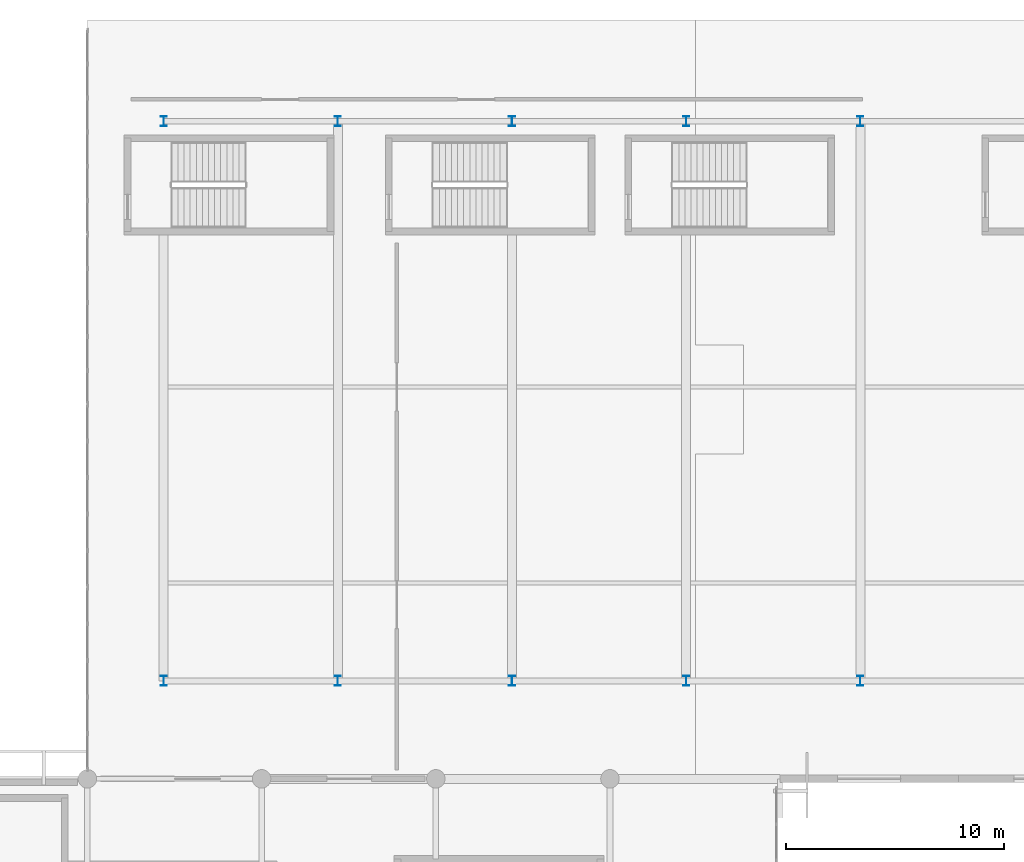
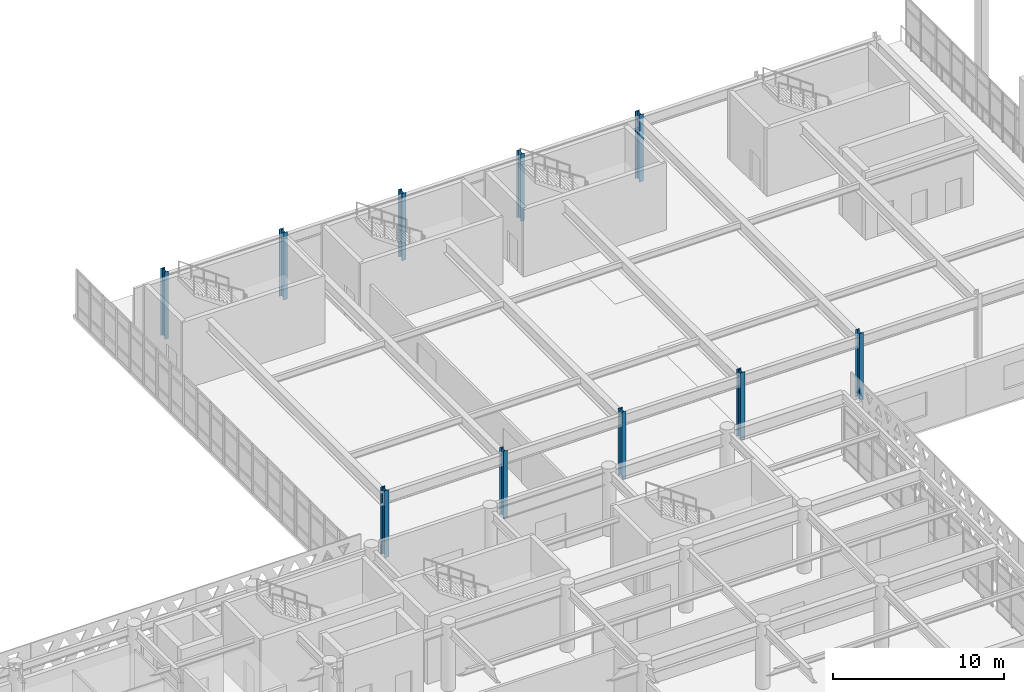
# One storey, part 2 of 54: 10 columns.
"""IFC4 building model written with IfcOpenShell, lengths in metres."""

from ifc_helpers import new_model, si_unit, direction, frame, origin, origin_2d, place, context, subcontext, project, spatial, i_section, extrude, material, material_profile, profile_set, type_object, element, save


model = new_model("IFC4")

# Units and contexts
model_context = context("Model", 3, precision=1e-05, world=origin(), true_north=direction((0.0, 1.0)))
body_context = subcontext(model_context, "Body", "Model", "MODEL_VIEW")
ifc_project = project(units=[si_unit("LENGTHUNIT", "METRE"), si_unit("AREAUNIT", "SQUARE_METRE"), si_unit("VOLUMEUNIT", "CUBIC_METRE"), si_unit("PLANEANGLEUNIT", "RADIAN"), si_unit("MASSUNIT", "GRAM", prefix="KILO")], contexts=[model_context])

# Site, building, storey
site_placement = place(None, origin())
site = spatial("IfcSite", under=ifc_project, at=site_placement, CompositionType="ELEMENT")
building_placement = place(site_placement, origin())
building = spatial("IfcBuilding", under=site, at=building_placement, Name="Tlacozan Convention Centre", CompositionType="ELEMENT")
storey_placement = place(building_placement, frame((0.0, 0.0, 11.39990234375)))
storey = spatial("IfcBuildingStorey", under=building, at=storey_placement, Name="L02", CompositionType="ELEMENT", Elevation=11.39990234375)

# Columns
ifc_material = material(Name="Steel ASTM A992 Grade 50", Category="steel")
ifc_material_profile = material_profile(ifc_material, i_section(OverallWidth=0.280029296875, OverallDepth=0.462890625, WebThickness=0.0107421875, FlangeThickness=0.017333984375, FilletRadius=0.011962890625, at=origin_2d()), Name="IR 457x113.0")
ifc_profile_set = profile_set([ifc_material_profile], Name="Steel ASTM A992 Grade 50")
column_type = type_object("IfcColumnType", Name="Column Steel IR 457x113", PredefinedType="COLUMN", material=ifc_profile_set)
for number, where, z_axis, x_axis, name in (
    (1, (91.5, 31.5, 0.0), (0.0, 0.0, 1.0), (1.0, 0.0, 0.0), "L02 Column 495"),
    (2, (91.5, 57.199951171875, 0.0), (0.0, 0.0, 1.0), (1.0, 0.0, 0.0), "L02 Column 503"),
    (3, (99.5, 31.5, 0.0), (0.0, 0.0, 1.0), (1.0, 0.0, 0.0), "L02 Column 544"),
    (4, (99.5, 57.199951171875, 0.0), (0.0, 0.0, 1.0), (1.0, 0.0, 0.0), "L02 Column 550"),
    (5, (107.5, 31.5, 0.0), (0.0, 0.0, 1.0), (1.0, 0.0, 0.0), "L02 Column 587"),
    (6, (107.5, 57.199951171875, 0.0), (0.0, 0.0, 1.0), (1.0, 0.0, 0.0), "L02 Column 593"),
    (7, (115.5, 31.5, 0.0), (0.0, 0.0, 1.0), (1.0, 0.0, 0.0), "L02 Column 630"),
    (8, (115.5, 57.199951171875, 0.0), (0.0, 0.0, 1.0), (1.0, 0.0, 0.0), "L02 Column 636"),
    (9, (123.5, 31.5, 0.0), (0.0, 0.0, 1.0), (1.0, 0.0, 0.0), "L02 Column 653"),
    (10, (123.5, 57.199951171875, 0.0), (0.0, 0.0, 1.0), (1.0, 0.0, 0.0), "L02 Column 659"),
):
    element("IfcColumn", number, at=place(storey_placement, frame(where, z_axis=z_axis, x_axis=x_axis)), inside=storey, type_object=column_type, Name=name, PredefinedType="COLUMN", context=body_context, shape_type="SweptSolid", body=[
        extrude(i_section(OverallWidth=0.280029296875, OverallDepth=0.462890625, WebThickness=0.0107421875, FlangeThickness=0.017333984375, FilletRadius=0.011962890625, at=origin_2d()), origin(), (0.0, 0.0, 1.0), 4.800048828125),
    ])

save(model, "model.ifc")
